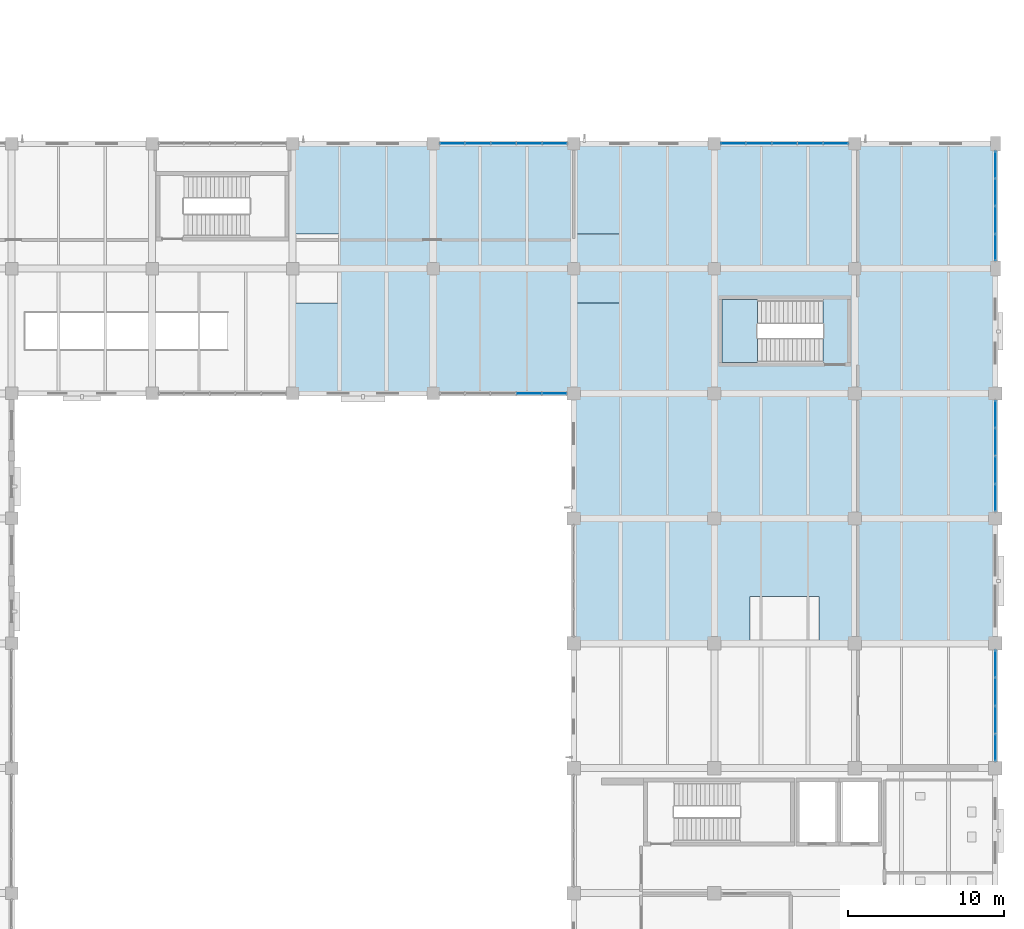
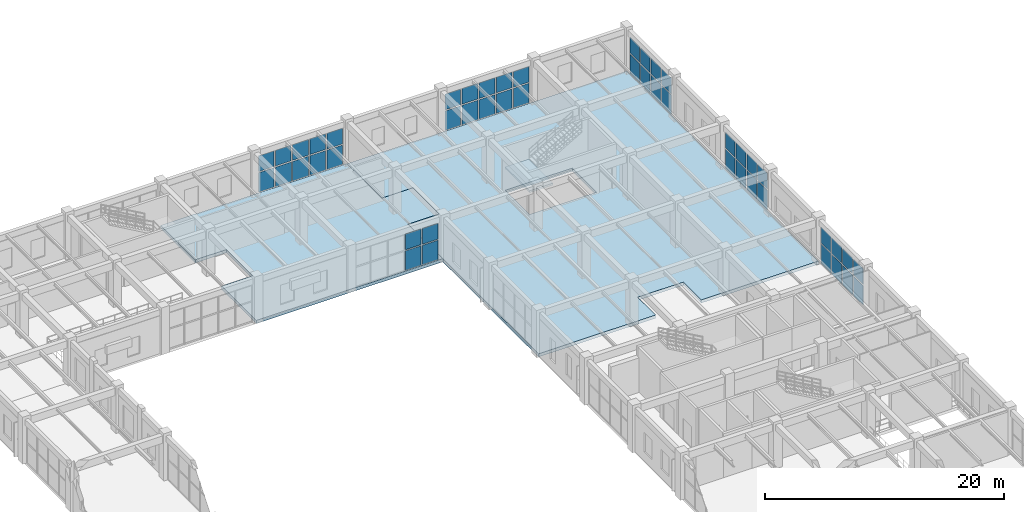
# One storey, part 150 of 178: 48 plates, 3 slabs, 7 elements without a shape of their own.
"""IFC4 building model written with IfcOpenShell, lengths in metres."""

from ifc_helpers import new_model, si_unit, derived_unit, direction, frame, origin, origin_2d, place, context, subcontext, project, spatial, polyline, rectangle, outline, extrude, material, layer, layer_set, type_object, element, aggregate, save


model = new_model("IFC4")

# Units and contexts
model_context = context("Model", 3, precision=1e-05, world=origin(), true_north=direction((0.0, 1.0)))
body_context = subcontext(model_context, "Body", "Model", "MODEL_VIEW")
ifc_project = project(units=[si_unit("LENGTHUNIT", "METRE"), si_unit("AREAUNIT", "SQUARE_METRE"), si_unit("VOLUMEUNIT", "CUBIC_METRE"), si_unit("PLANEANGLEUNIT", "RADIAN"), si_unit("MASSUNIT", "GRAM", prefix="KILO"), derived_unit("THERMALTRANSMITTANCEUNIT", [(si_unit("MASSUNIT", "GRAM", prefix="KILO"), 1), (si_unit("TIMEUNIT", "SECOND"), -3), (si_unit("THERMODYNAMICTEMPERATUREUNIT", "KELVIN"), -1)])], contexts=[model_context])

# Site, building, storey
site_placement = place(None, origin())
site = spatial("IfcSite", under=ifc_project, at=site_placement, CompositionType="ELEMENT")
building_placement = place(site_placement, origin())
building = spatial("IfcBuilding", under=site, at=building_placement, Name="Zhenchuan Archway Interchange", CompositionType="ELEMENT")
storey_placement = place(building_placement, frame((0.0, 0.0, 5.39990234375)))
storey = spatial("IfcBuildingStorey", under=building, at=storey_placement, Name="L01", CompositionType="ELEMENT", Elevation=5.39990234375)

# Curtain wall, plates
ifc_material_1 = material(Name="Anodised Aluminium", Category="aluminium")
curtain_wall_type_1 = type_object("IfcCurtainWallType", Name="CW_UNIT_3", PredefinedType="NOTDEFINED", material=ifc_material_1)
curtain_wall_1_placement = place(storey_placement, origin())
curtain_wall_1 = element("IfcCurtainWall", 1, at=curtain_wall_1_placement, inside=storey, type_object=curtain_wall_type_1, Name="Unitised curtain wall CW:L01:062", PredefinedType="NOTDEFINED")
ifc_material_2 = material(Name="Double Low-E Insulated Glazing", Category="glass")
ifc_layer_1 = layer(ifc_material_2, 0.028076171875)
ifc_layer_set_1 = layer_set([ifc_layer_1], Name="Double Low-E Insulated Glazing")
plate_type_1 = type_object("IfcPlateType", Name="CW_GLZ_1", PredefinedType="CURTAIN_PANEL", material=ifc_layer_set_1)
plate_1_placement = place(storey_placement, frame((136.204345703125, 104.0, 0.080078125), z_axis=(0.0, 0.0, 1.0), x_axis=(1.0, 0.0, 0.0)))
plate_1 = element("IfcPlate", 2, at=plate_1_placement, type_object=plate_type_1, Name="CW:L01:062 lower glazing panel 0", PredefinedType="CURTAIN_PANEL", context=body_context, shape_type="SweptSolid", body=[
    extrude(rectangle(XDim=1.492919921875, YDim=0.028076171875, at=origin_2d()), origin(), (0.0, 0.0, 1.0), 1.98291015625),
])
plate_2_placement = place(storey_placement, frame((137.84716796875, 104.0, 0.080078125), z_axis=(0.0, 0.0, 1.0), x_axis=(1.0, 0.0, 0.0)))
plate_2 = element("IfcPlate", 3, at=plate_2_placement, type_object=plate_type_1, Name="CW:L01:062 lower glazing panel 1", PredefinedType="CURTAIN_PANEL", context=body_context, shape_type="SweptSolid", body=[
    extrude(rectangle(XDim=1.5126953125, YDim=0.028076171875, at=origin_2d()), origin(), (0.0, 0.0, 1.0), 1.98291015625),
])
plate_3_placement = place(storey_placement, frame((139.5, 104.0, 0.080078125), z_axis=(0.0, 0.0, 1.0), x_axis=(1.0, 0.0, 0.0)))
plate_3 = element("IfcPlate", 4, at=plate_3_placement, type_object=plate_type_1, Name="CW:L01:062 lower glazing panel 2", PredefinedType="CURTAIN_PANEL", context=body_context, shape_type="SweptSolid", body=[
    extrude(rectangle(XDim=1.5126953125, YDim=0.028076171875, at=origin_2d()), origin(), (0.0, 0.0, 1.0), 1.98291015625),
])
plate_4_placement = place(storey_placement, frame((141.15283203125, 104.0, 0.080078125), z_axis=(0.0, 0.0, 1.0), x_axis=(1.0, 0.0, 0.0)))
plate_4 = element("IfcPlate", 5, at=plate_4_placement, type_object=plate_type_1, Name="CW:L01:062 lower glazing panel 3", PredefinedType="CURTAIN_PANEL", context=body_context, shape_type="SweptSolid", body=[
    extrude(rectangle(XDim=1.5126953125, YDim=0.028076171875, at=origin_2d()), origin(), (0.0, 0.0, 1.0), 1.98291015625),
])
plate_5_placement = place(storey_placement, frame((142.795654296875, 104.0, 0.080078125), z_axis=(0.0, 0.0, 1.0), x_axis=(1.0, 0.0, 0.0)))
plate_5 = element("IfcPlate", 6, at=plate_5_placement, type_object=plate_type_1, Name="CW:L01:062 lower glazing panel 4", PredefinedType="CURTAIN_PANEL", context=body_context, shape_type="SweptSolid", body=[
    extrude(rectangle(XDim=1.492919921875, YDim=0.028076171875, at=origin_2d()), origin(), (0.0, 0.0, 1.0), 1.98291015625),
])

curtain_wall_type_2 = type_object("IfcCurtainWallType", Name="CW_UNIT_4", PredefinedType="NOTDEFINED", material=ifc_material_1)
curtain_wall_2_placement = place(storey_placement, origin())
curtain_wall_2 = element("IfcCurtainWall", 7, at=curtain_wall_2_placement, inside=storey, type_object=curtain_wall_type_2, Name="Unitised curtain wall CW:L01:063", PredefinedType="NOTDEFINED")
plate_6_placement = place(storey_placement, frame((154.204345703125, 104.0, 0.080078125), z_axis=(0.0, 0.0, 1.0), x_axis=(1.0, 0.0, 0.0)))
plate_6 = element("IfcPlate", 8, at=plate_6_placement, type_object=plate_type_1, Name="CW:L01:063 lower glazing panel 0", PredefinedType="CURTAIN_PANEL", context=body_context, shape_type="SweptSolid", body=[
    extrude(rectangle(XDim=1.492919921875, YDim=0.028076171875, at=origin_2d()), origin(), (0.0, 0.0, 1.0), 1.98291015625),
])
plate_7_placement = place(storey_placement, frame((155.84716796875, 104.0, 0.080078125), z_axis=(0.0, 0.0, 1.0), x_axis=(1.0, 0.0, 0.0)))
plate_7 = element("IfcPlate", 9, at=plate_7_placement, type_object=plate_type_1, Name="CW:L01:063 lower glazing panel 1", PredefinedType="CURTAIN_PANEL", context=body_context, shape_type="SweptSolid", body=[
    extrude(rectangle(XDim=1.5126953125, YDim=0.028076171875, at=origin_2d()), origin(), (0.0, 0.0, 1.0), 1.98291015625),
])
plate_8_placement = place(storey_placement, frame((157.5, 104.0, 0.080078125), z_axis=(0.0, 0.0, 1.0), x_axis=(1.0, 0.0, 0.0)))
plate_8 = element("IfcPlate", 10, at=plate_8_placement, type_object=plate_type_1, Name="CW:L01:063 lower glazing panel 2", PredefinedType="CURTAIN_PANEL", context=body_context, shape_type="SweptSolid", body=[
    extrude(rectangle(XDim=1.5126953125, YDim=0.028076171875, at=origin_2d()), origin(), (0.0, 0.0, 1.0), 1.98291015625),
])
plate_9_placement = place(storey_placement, frame((159.15283203125, 104.0, 0.080078125), z_axis=(0.0, 0.0, 1.0), x_axis=(1.0, 0.0, 0.0)))
plate_9 = element("IfcPlate", 11, at=plate_9_placement, type_object=plate_type_1, Name="CW:L01:063 lower glazing panel 3", PredefinedType="CURTAIN_PANEL", context=body_context, shape_type="SweptSolid", body=[
    extrude(rectangle(XDim=1.5126953125, YDim=0.028076171875, at=origin_2d()), origin(), (0.0, 0.0, 1.0), 1.98291015625),
])
plate_10_placement = place(storey_placement, frame((160.795654296875, 104.0, 0.080078125), z_axis=(0.0, 0.0, 1.0), x_axis=(1.0, 0.0, 0.0)))
plate_10 = element("IfcPlate", 12, at=plate_10_placement, type_object=plate_type_1, Name="CW:L01:063 lower glazing panel 4", PredefinedType="CURTAIN_PANEL", context=body_context, shape_type="SweptSolid", body=[
    extrude(rectangle(XDim=1.492919921875, YDim=0.028076171875, at=origin_2d()), origin(), (0.0, 0.0, 1.0), 1.98291015625),
])

curtain_wall_type_3 = type_object("IfcCurtainWallType", Name="CW_UNIT_1", PredefinedType="NOTDEFINED", material=ifc_material_1)
curtain_wall_3_placement = place(storey_placement, origin())
curtain_wall_3 = element("IfcCurtainWall", 13, at=curtain_wall_3_placement, inside=storey, type_object=curtain_wall_type_3, Name="Unitised curtain wall CW:L01:096", PredefinedType="NOTDEFINED")
plate_11_placement = place(storey_placement, frame((142.773193359375, 88.0, 0.080078125), z_axis=(0.0, 0.0, 1.0), x_axis=(-1.0, 0.0, 0.0)))
plate_11 = element("IfcPlate", 14, at=plate_11_placement, type_object=plate_type_1, Name="CW:L01:096 lower glazing panel 0", PredefinedType="CURTAIN_PANEL", context=body_context, shape_type="SweptSolid", body=[
    extrude(rectangle(XDim=1.48779296875, YDim=0.028076171875, at=origin_2d()), origin(), (0.0, 0.0, 1.0), 1.98291015625),
])
plate_12_placement = place(storey_placement, frame((141.13525390625, 88.0, 0.080078125), z_axis=(0.0, 0.0, 1.0), x_axis=(-1.0, 0.0, 0.0)))
plate_12 = element("IfcPlate", 15, at=plate_12_placement, type_object=plate_type_1, Name="CW:L01:096 lower glazing panel 1", PredefinedType="CURTAIN_PANEL", context=body_context, shape_type="SweptSolid", body=[
    extrude(rectangle(XDim=1.5078125, YDim=0.028076171875, at=origin_2d()), origin(), (0.0, 0.0, 1.0), 1.98291015625),
])

# Plate
ifc_layer_2 = layer(ifc_material_2, 0.02587890625)
ifc_layer_set_2 = layer_set([ifc_layer_2], Name="Double Low-E Insulated Glazing")
plate_type_2 = type_object("IfcPlateType", Name="CW_GLZ_2", PredefinedType="CURTAIN_PANEL", material=ifc_layer_set_2)
plate_13_placement = place(storey_placement, frame((136.204345703125, 104.0, 2.18310546875), z_axis=(0.0, 0.0, 1.0), x_axis=(1.0, 0.0, 0.0)))
plate_13 = element("IfcPlate", 16, at=plate_13_placement, type_object=plate_type_2, Name="CW:L01:062 upper glazing panel 0", PredefinedType="CURTAIN_PANEL", context=body_context, shape_type="SweptSolid", body=[
    extrude(rectangle(XDim=1.492919921875, YDim=0.02587890625, at=origin_2d()), origin(), (0.0, 0.0, 1.0), 1.596923828125),
])

plate_14_placement = place(storey_placement, frame((137.84716796875, 104.0, 2.18310546875), z_axis=(0.0, 0.0, 1.0), x_axis=(1.0, 0.0, 0.0)))
plate_14 = element("IfcPlate", 17, at=plate_14_placement, type_object=plate_type_2, Name="CW:L01:062 upper glazing panel 1", PredefinedType="CURTAIN_PANEL", context=body_context, shape_type="SweptSolid", body=[
    extrude(rectangle(XDim=1.5126953125, YDim=0.02587890625, at=origin_2d()), origin(), (0.0, 0.0, 1.0), 1.596923828125),
])

plate_15_placement = place(storey_placement, frame((139.5, 104.0, 2.18310546875), z_axis=(0.0, 0.0, 1.0), x_axis=(1.0, 0.0, 0.0)))
plate_15 = element("IfcPlate", 18, at=plate_15_placement, type_object=plate_type_2, Name="CW:L01:062 upper glazing panel 2", PredefinedType="CURTAIN_PANEL", context=body_context, shape_type="SweptSolid", body=[
    extrude(rectangle(XDim=1.5126953125, YDim=0.02587890625, at=origin_2d()), origin(), (0.0, 0.0, 1.0), 1.596923828125),
])

plate_16_placement = place(storey_placement, frame((141.15283203125, 104.0, 2.18310546875), z_axis=(0.0, 0.0, 1.0), x_axis=(1.0, 0.0, 0.0)))
plate_16 = element("IfcPlate", 19, at=plate_16_placement, type_object=plate_type_2, Name="CW:L01:062 upper glazing panel 3", PredefinedType="CURTAIN_PANEL", context=body_context, shape_type="SweptSolid", body=[
    extrude(rectangle(XDim=1.5126953125, YDim=0.02587890625, at=origin_2d()), origin(), (0.0, 0.0, 1.0), 1.596923828125),
])

plate_17_placement = place(storey_placement, frame((142.795654296875, 104.0, 2.18310546875), z_axis=(0.0, 0.0, 1.0), x_axis=(1.0, 0.0, 0.0)))
plate_17 = element("IfcPlate", 20, at=plate_17_placement, type_object=plate_type_2, Name="CW:L01:062 upper glazing panel 4", PredefinedType="CURTAIN_PANEL", context=body_context, shape_type="SweptSolid", body=[
    extrude(rectangle(XDim=1.492919921875, YDim=0.02587890625, at=origin_2d()), origin(), (0.0, 0.0, 1.0), 1.596923828125),
])

aggregate(curtain_wall_1, [plate_1, plate_13, plate_2, plate_14, plate_3, plate_15, plate_4, plate_16, plate_5, plate_17])

plate_18_placement = place(storey_placement, frame((154.204345703125, 104.0, 2.18310546875), z_axis=(0.0, 0.0, 1.0), x_axis=(1.0, 0.0, 0.0)))
plate_18 = element("IfcPlate", 21, at=plate_18_placement, type_object=plate_type_2, Name="CW:L01:063 upper glazing panel 0", PredefinedType="CURTAIN_PANEL", context=body_context, shape_type="SweptSolid", body=[
    extrude(rectangle(XDim=1.492919921875, YDim=0.02587890625, at=origin_2d()), origin(), (0.0, 0.0, 1.0), 1.596923828125),
])

plate_19_placement = place(storey_placement, frame((155.84716796875, 104.0, 2.18310546875), z_axis=(0.0, 0.0, 1.0), x_axis=(1.0, 0.0, 0.0)))
plate_19 = element("IfcPlate", 22, at=plate_19_placement, type_object=plate_type_2, Name="CW:L01:063 upper glazing panel 1", PredefinedType="CURTAIN_PANEL", context=body_context, shape_type="SweptSolid", body=[
    extrude(rectangle(XDim=1.5126953125, YDim=0.02587890625, at=origin_2d()), origin(), (0.0, 0.0, 1.0), 1.596923828125),
])

plate_20_placement = place(storey_placement, frame((157.5, 104.0, 2.18310546875), z_axis=(0.0, 0.0, 1.0), x_axis=(1.0, 0.0, 0.0)))
plate_20 = element("IfcPlate", 23, at=plate_20_placement, type_object=plate_type_2, Name="CW:L01:063 upper glazing panel 2", PredefinedType="CURTAIN_PANEL", context=body_context, shape_type="SweptSolid", body=[
    extrude(rectangle(XDim=1.5126953125, YDim=0.02587890625, at=origin_2d()), origin(), (0.0, 0.0, 1.0), 1.596923828125),
])

plate_21_placement = place(storey_placement, frame((159.15283203125, 104.0, 2.18310546875), z_axis=(0.0, 0.0, 1.0), x_axis=(1.0, 0.0, 0.0)))
plate_21 = element("IfcPlate", 24, at=plate_21_placement, type_object=plate_type_2, Name="CW:L01:063 upper glazing panel 3", PredefinedType="CURTAIN_PANEL", context=body_context, shape_type="SweptSolid", body=[
    extrude(rectangle(XDim=1.5126953125, YDim=0.02587890625, at=origin_2d()), origin(), (0.0, 0.0, 1.0), 1.596923828125),
])

plate_22_placement = place(storey_placement, frame((160.795654296875, 104.0, 2.18310546875), z_axis=(0.0, 0.0, 1.0), x_axis=(1.0, 0.0, 0.0)))
plate_22 = element("IfcPlate", 25, at=plate_22_placement, type_object=plate_type_2, Name="CW:L01:063 upper glazing panel 4", PredefinedType="CURTAIN_PANEL", context=body_context, shape_type="SweptSolid", body=[
    extrude(rectangle(XDim=1.492919921875, YDim=0.02587890625, at=origin_2d()), origin(), (0.0, 0.0, 1.0), 1.596923828125),
])

aggregate(curtain_wall_2, [plate_6, plate_18, plate_7, plate_19, plate_8, plate_20, plate_9, plate_21, plate_10, plate_22])

plate_23_placement = place(storey_placement, frame((142.773193359375, 88.0, 2.18310546875), z_axis=(0.0, 0.0, 1.0), x_axis=(-1.0, 0.0, 0.0)))
plate_23 = element("IfcPlate", 26, at=plate_23_placement, type_object=plate_type_2, Name="CW:L01:096 upper glazing panel 0", PredefinedType="CURTAIN_PANEL", context=body_context, shape_type="SweptSolid", body=[
    extrude(rectangle(XDim=1.48779296875, YDim=0.02587890625, at=origin_2d()), origin(), (0.0, 0.0, 1.0), 1.596923828125),
])

plate_24_placement = place(storey_placement, frame((141.13525390625, 88.0, 2.18310546875), z_axis=(0.0, 0.0, 1.0), x_axis=(-1.0, 0.0, 0.0)))
plate_24 = element("IfcPlate", 27, at=plate_24_placement, type_object=plate_type_2, Name="CW:L01:096 upper glazing panel 1", PredefinedType="CURTAIN_PANEL", context=body_context, shape_type="SweptSolid", body=[
    extrude(rectangle(XDim=1.5078125, YDim=0.02587890625, at=origin_2d()), origin(), (0.0, 0.0, 1.0), 1.596923828125),
])

aggregate(curtain_wall_3, [plate_11, plate_23, plate_12, plate_24])

# Curtain wall, plates
curtain_wall_4_placement = place(storey_placement, origin())
curtain_wall_4 = element("IfcCurtainWall", 28, at=curtain_wall_4_placement, inside=storey, type_object=curtain_wall_type_3, Name="Unitised curtain wall CW:L01:064", PredefinedType="NOTDEFINED")
ifc_layer_3 = layer(ifc_material_2, 0.030029296875)
ifc_layer_set_3 = layer_set([ifc_layer_3], Name="Double Low-E Insulated Glazing")
plate_type_3 = type_object("IfcPlateType", Name="CW_GLZ_3", PredefinedType="CURTAIN_PANEL", material=ifc_layer_set_3)
plate_25_placement = place(storey_placement, frame((171.0, 102.65771484375, 0.080078125), z_axis=(0.0, 0.0, 1.0), x_axis=(0.0, -1.0, 0.0)))
plate_25 = element("IfcPlate", 29, at=plate_25_placement, type_object=plate_type_3, Name="CW:L01:064 lower glazing panel 0", PredefinedType="CURTAIN_PANEL", context=body_context, shape_type="SweptSolid", body=[
    extrude(rectangle(XDim=1.618408203125, YDim=0.028076171875, at=origin_2d()), origin(), (0.0, 0.0, 1.0), 1.98291015625),
])
plate_26_placement = place(storey_placement, frame((171.0, 100.889404296875, 0.080078125), z_axis=(0.0, 0.0, 1.0), x_axis=(0.0, -1.0, 0.0)))
plate_26 = element("IfcPlate", 30, at=plate_26_placement, type_object=plate_type_3, Name="CW:L01:064 lower glazing panel 1", PredefinedType="CURTAIN_PANEL", context=body_context, shape_type="SweptSolid", body=[
    extrude(rectangle(XDim=1.638427734375, YDim=0.028076171875, at=origin_2d()), origin(), (0.0, 0.0, 1.0), 1.98291015625),
])
plate_27_placement = place(storey_placement, frame((171.0, 99.110595703125, 0.080078125), z_axis=(0.0, 0.0, 1.0), x_axis=(0.0, -1.0, 0.0)))
plate_27 = element("IfcPlate", 31, at=plate_27_placement, type_object=plate_type_3, Name="CW:L01:064 lower glazing panel 2", PredefinedType="CURTAIN_PANEL", context=body_context, shape_type="SweptSolid", body=[
    extrude(rectangle(XDim=1.638427734375, YDim=0.028076171875, at=origin_2d()), origin(), (0.0, 0.0, 1.0), 1.98291015625),
])
plate_28_placement = place(storey_placement, frame((171.0, 97.34228515625, 0.080078125), z_axis=(0.0, 0.0, 1.0), x_axis=(0.0, -1.0, 0.0)))
plate_28 = element("IfcPlate", 32, at=plate_28_placement, type_object=plate_type_3, Name="CW:L01:064 lower glazing panel 3", PredefinedType="CURTAIN_PANEL", context=body_context, shape_type="SweptSolid", body=[
    extrude(rectangle(XDim=1.618408203125, YDim=0.028076171875, at=origin_2d()), origin(), (0.0, 0.0, 1.0), 1.98291015625),
])

curtain_wall_type_4 = type_object("IfcCurtainWallType", Name="CW_UNIT_2", PredefinedType="NOTDEFINED", material=ifc_material_1)
curtain_wall_5_placement = place(storey_placement, origin())
curtain_wall_5 = element("IfcCurtainWall", 33, at=curtain_wall_5_placement, inside=storey, type_object=curtain_wall_type_4, Name="Unitised curtain wall CW:L01:065", PredefinedType="NOTDEFINED")
plate_29_placement = place(storey_placement, frame((171.0, 86.6953125, 0.080078125), z_axis=(0.0, 0.0, 1.0), x_axis=(0.0, -1.0, 0.0)))
plate_29 = element("IfcPlate", 34, at=plate_29_placement, type_object=plate_type_3, Name="CW:L01:065 lower glazing panel 0", PredefinedType="CURTAIN_PANEL", context=body_context, shape_type="SweptSolid", body=[
    extrude(rectangle(XDim=1.6435546875, YDim=0.028076171875, at=origin_2d()), origin(), (0.0, 0.0, 1.0), 1.98291015625),
])
plate_30_placement = place(storey_placement, frame((171.0, 84.901611328125, 0.080078125), z_axis=(0.0, 0.0, 1.0), x_axis=(0.0, -1.0, 0.0)))
plate_30 = element("IfcPlate", 35, at=plate_30_placement, type_object=plate_type_3, Name="CW:L01:065 lower glazing panel 1", PredefinedType="CURTAIN_PANEL", context=body_context, shape_type="SweptSolid", body=[
    extrude(rectangle(XDim=1.66357421875, YDim=0.028076171875, at=origin_2d()), origin(), (0.0, 0.0, 1.0), 1.98291015625),
])
plate_31_placement = place(storey_placement, frame((171.0, 83.098388671875, 0.080078125), z_axis=(0.0, 0.0, 1.0), x_axis=(0.0, -1.0, 0.0)))
plate_31 = element("IfcPlate", 36, at=plate_31_placement, type_object=plate_type_3, Name="CW:L01:065 lower glazing panel 2", PredefinedType="CURTAIN_PANEL", context=body_context, shape_type="SweptSolid", body=[
    extrude(rectangle(XDim=1.66357421875, YDim=0.028076171875, at=origin_2d()), origin(), (0.0, 0.0, 1.0), 1.98291015625),
])
plate_32_placement = place(storey_placement, frame((171.0, 81.3046875, 0.080078125), z_axis=(0.0, 0.0, 1.0), x_axis=(0.0, -1.0, 0.0)))
plate_32 = element("IfcPlate", 37, at=plate_32_placement, type_object=plate_type_3, Name="CW:L01:065 lower glazing panel 3", PredefinedType="CURTAIN_PANEL", context=body_context, shape_type="SweptSolid", body=[
    extrude(rectangle(XDim=1.6435546875, YDim=0.028076171875, at=origin_2d()), origin(), (0.0, 0.0, 1.0), 1.98291015625),
])

curtain_wall_6_placement = place(storey_placement, origin())
curtain_wall_6 = element("IfcCurtainWall", 38, at=curtain_wall_6_placement, inside=storey, type_object=curtain_wall_type_1, Name="Unitised curtain wall CW:L01:066", PredefinedType="NOTDEFINED")
plate_33_placement = place(storey_placement, frame((171.0, 70.6953125, 0.080078125), z_axis=(0.0, 0.0, 1.0), x_axis=(0.0, -1.0, 0.0)))
plate_33 = element("IfcPlate", 39, at=plate_33_placement, type_object=plate_type_3, Name="CW:L01:066 lower glazing panel 0", PredefinedType="CURTAIN_PANEL", context=body_context, shape_type="SweptSolid", body=[
    extrude(rectangle(XDim=1.6435546875, YDim=0.028076171875, at=origin_2d()), origin(), (0.0, 0.0, 1.0), 1.98291015625),
])
plate_34_placement = place(storey_placement, frame((171.0, 68.901611328125, 0.080078125), z_axis=(0.0, 0.0, 1.0), x_axis=(0.0, -1.0, 0.0)))
plate_34 = element("IfcPlate", 40, at=plate_34_placement, type_object=plate_type_3, Name="CW:L01:066 lower glazing panel 1", PredefinedType="CURTAIN_PANEL", context=body_context, shape_type="SweptSolid", body=[
    extrude(rectangle(XDim=1.66357421875, YDim=0.028076171875, at=origin_2d()), origin(), (0.0, 0.0, 1.0), 1.98291015625),
])
plate_35_placement = place(storey_placement, frame((171.0, 67.098388671875, 0.080078125), z_axis=(0.0, 0.0, 1.0), x_axis=(0.0, -1.0, 0.0)))
plate_35 = element("IfcPlate", 41, at=plate_35_placement, type_object=plate_type_3, Name="CW:L01:066 lower glazing panel 2", PredefinedType="CURTAIN_PANEL", context=body_context, shape_type="SweptSolid", body=[
    extrude(rectangle(XDim=1.66357421875, YDim=0.028076171875, at=origin_2d()), origin(), (0.0, 0.0, 1.0), 1.98291015625),
])
plate_36_placement = place(storey_placement, frame((171.0, 65.3046875, 0.080078125), z_axis=(0.0, 0.0, 1.0), x_axis=(0.0, -1.0, 0.0)))
plate_36 = element("IfcPlate", 42, at=plate_36_placement, type_object=plate_type_3, Name="CW:L01:066 lower glazing panel 3", PredefinedType="CURTAIN_PANEL", context=body_context, shape_type="SweptSolid", body=[
    extrude(rectangle(XDim=1.6435546875, YDim=0.028076171875, at=origin_2d()), origin(), (0.0, 0.0, 1.0), 1.98291015625),
])

# Plate
ifc_layer_4 = layer(ifc_material_2, 0.02392578125)
ifc_layer_set_4 = layer_set([ifc_layer_4], Name="Double Low-E Insulated Glazing")
plate_type_4 = type_object("IfcPlateType", Name="CW_GLZ_4", PredefinedType="CURTAIN_PANEL", material=ifc_layer_set_4)
plate_37_placement = place(storey_placement, frame((171.0, 102.65771484375, 2.18310546875), z_axis=(0.0, 0.0, 1.0), x_axis=(0.0, -1.0, 0.0)))
plate_37 = element("IfcPlate", 43, at=plate_37_placement, type_object=plate_type_4, Name="CW:L01:064 upper glazing panel 0", PredefinedType="CURTAIN_PANEL", context=body_context, shape_type="SweptSolid", body=[
    extrude(rectangle(XDim=1.618408203125, YDim=0.02587890625, at=origin_2d()), origin(), (0.0, 0.0, 1.0), 1.596923828125),
])

plate_38_placement = place(storey_placement, frame((171.0, 100.889404296875, 2.18310546875), z_axis=(0.0, 0.0, 1.0), x_axis=(0.0, -1.0, 0.0)))
plate_38 = element("IfcPlate", 44, at=plate_38_placement, type_object=plate_type_4, Name="CW:L01:064 upper glazing panel 1", PredefinedType="CURTAIN_PANEL", context=body_context, shape_type="SweptSolid", body=[
    extrude(rectangle(XDim=1.638427734375, YDim=0.02587890625, at=origin_2d()), origin(), (0.0, 0.0, 1.0), 1.596923828125),
])

plate_39_placement = place(storey_placement, frame((171.0, 99.110595703125, 2.18310546875), z_axis=(0.0, 0.0, 1.0), x_axis=(0.0, -1.0, 0.0)))
plate_39 = element("IfcPlate", 45, at=plate_39_placement, type_object=plate_type_4, Name="CW:L01:064 upper glazing panel 2", PredefinedType="CURTAIN_PANEL", context=body_context, shape_type="SweptSolid", body=[
    extrude(rectangle(XDim=1.638427734375, YDim=0.02587890625, at=origin_2d()), origin(), (0.0, 0.0, 1.0), 1.596923828125),
])

plate_40_placement = place(storey_placement, frame((171.0, 97.34228515625, 2.18310546875), z_axis=(0.0, 0.0, 1.0), x_axis=(0.0, -1.0, 0.0)))
plate_40 = element("IfcPlate", 46, at=plate_40_placement, type_object=plate_type_4, Name="CW:L01:064 upper glazing panel 3", PredefinedType="CURTAIN_PANEL", context=body_context, shape_type="SweptSolid", body=[
    extrude(rectangle(XDim=1.618408203125, YDim=0.02587890625, at=origin_2d()), origin(), (0.0, 0.0, 1.0), 1.596923828125),
])

aggregate(curtain_wall_4, [plate_25, plate_37, plate_26, plate_38, plate_27, plate_39, plate_28, plate_40])

plate_41_placement = place(storey_placement, frame((171.0, 86.6953125, 2.18310546875), z_axis=(0.0, 0.0, 1.0), x_axis=(0.0, -1.0, 0.0)))
plate_41 = element("IfcPlate", 47, at=plate_41_placement, type_object=plate_type_4, Name="CW:L01:065 upper glazing panel 0", PredefinedType="CURTAIN_PANEL", context=body_context, shape_type="SweptSolid", body=[
    extrude(rectangle(XDim=1.6435546875, YDim=0.02587890625, at=origin_2d()), origin(), (0.0, 0.0, 1.0), 1.596923828125),
])

plate_42_placement = place(storey_placement, frame((171.0, 84.901611328125, 2.18310546875), z_axis=(0.0, 0.0, 1.0), x_axis=(0.0, -1.0, 0.0)))
plate_42 = element("IfcPlate", 48, at=plate_42_placement, type_object=plate_type_4, Name="CW:L01:065 upper glazing panel 1", PredefinedType="CURTAIN_PANEL", context=body_context, shape_type="SweptSolid", body=[
    extrude(rectangle(XDim=1.66357421875, YDim=0.02587890625, at=origin_2d()), origin(), (0.0, 0.0, 1.0), 1.596923828125),
])

plate_43_placement = place(storey_placement, frame((171.0, 83.098388671875, 2.18310546875), z_axis=(0.0, 0.0, 1.0), x_axis=(0.0, -1.0, 0.0)))
plate_43 = element("IfcPlate", 49, at=plate_43_placement, type_object=plate_type_4, Name="CW:L01:065 upper glazing panel 2", PredefinedType="CURTAIN_PANEL", context=body_context, shape_type="SweptSolid", body=[
    extrude(rectangle(XDim=1.66357421875, YDim=0.02587890625, at=origin_2d()), origin(), (0.0, 0.0, 1.0), 1.596923828125),
])

plate_44_placement = place(storey_placement, frame((171.0, 81.3046875, 2.18310546875), z_axis=(0.0, 0.0, 1.0), x_axis=(0.0, -1.0, 0.0)))
plate_44 = element("IfcPlate", 50, at=plate_44_placement, type_object=plate_type_4, Name="CW:L01:065 upper glazing panel 3", PredefinedType="CURTAIN_PANEL", context=body_context, shape_type="SweptSolid", body=[
    extrude(rectangle(XDim=1.6435546875, YDim=0.02587890625, at=origin_2d()), origin(), (0.0, 0.0, 1.0), 1.596923828125),
])

aggregate(curtain_wall_5, [plate_29, plate_41, plate_30, plate_42, plate_31, plate_43, plate_32, plate_44])

plate_45_placement = place(storey_placement, frame((171.0, 70.6953125, 2.18310546875), z_axis=(0.0, 0.0, 1.0), x_axis=(0.0, -1.0, 0.0)))
plate_45 = element("IfcPlate", 51, at=plate_45_placement, type_object=plate_type_4, Name="CW:L01:066 upper glazing panel 0", PredefinedType="CURTAIN_PANEL", context=body_context, shape_type="SweptSolid", body=[
    extrude(rectangle(XDim=1.6435546875, YDim=0.02587890625, at=origin_2d()), origin(), (0.0, 0.0, 1.0), 1.596923828125),
])

plate_46_placement = place(storey_placement, frame((171.0, 68.901611328125, 2.18310546875), z_axis=(0.0, 0.0, 1.0), x_axis=(0.0, -1.0, 0.0)))
plate_46 = element("IfcPlate", 52, at=plate_46_placement, type_object=plate_type_4, Name="CW:L01:066 upper glazing panel 1", PredefinedType="CURTAIN_PANEL", context=body_context, shape_type="SweptSolid", body=[
    extrude(rectangle(XDim=1.66357421875, YDim=0.02587890625, at=origin_2d()), origin(), (0.0, 0.0, 1.0), 1.596923828125),
])

plate_47_placement = place(storey_placement, frame((171.0, 67.098388671875, 2.18310546875), z_axis=(0.0, 0.0, 1.0), x_axis=(0.0, -1.0, 0.0)))
plate_47 = element("IfcPlate", 53, at=plate_47_placement, type_object=plate_type_4, Name="CW:L01:066 upper glazing panel 2", PredefinedType="CURTAIN_PANEL", context=body_context, shape_type="SweptSolid", body=[
    extrude(rectangle(XDim=1.66357421875, YDim=0.02587890625, at=origin_2d()), origin(), (0.0, 0.0, 1.0), 1.596923828125),
])

plate_48_placement = place(storey_placement, frame((171.0, 65.3046875, 2.18310546875), z_axis=(0.0, 0.0, 1.0), x_axis=(0.0, -1.0, 0.0)))
plate_48 = element("IfcPlate", 54, at=plate_48_placement, type_object=plate_type_4, Name="CW:L01:066 upper glazing panel 3", PredefinedType="CURTAIN_PANEL", context=body_context, shape_type="SweptSolid", body=[
    extrude(rectangle(XDim=1.6435546875, YDim=0.02587890625, at=origin_2d()), origin(), (0.0, 0.0, 1.0), 1.596923828125),
])

aggregate(curtain_wall_6, [plate_33, plate_45, plate_34, plate_46, plate_35, plate_47, plate_36, plate_48])

# Slabs
ifc_material_3 = material(Name="Concrete C40", Category="concrete")
ifc_layer_5 = layer(ifc_material_3, 0.320068359375)
ifc_layer_set_5 = layer_set([ifc_layer_5], Name="Concrete C40")
slab_type_1 = type_object("IfcSlabType", Name="SLB_FLR_320", PredefinedType="FLOOR", material=ifc_layer_set_5)
slab_1_placement = place(storey_placement, frame((0.0, 0.0, -0.31982421875)))
element("IfcSlab", 55, at=slab_1_placement, inside=storey, type_object=slab_type_1, Name="Structural slab L01 OPS-N2", PredefinedType="FLOOR", context=body_context, shape_type="SweptSolid", body=[
    extrude(outline(polyline([(144.0, 104.0), (144.0, 98.197998046875), (146.998046875, 98.197998046875), (146.998046875, 93.802001953125), (144.0, 93.802001953125), (144.0, 88.0), (126.0, 88.0), (126.0, 93.800048828125), (129.0, 93.800048828125), (129.0, 98.199951171875), (126.0, 98.199951171875), (126.0, 104.0), (144.0, 104.0)])), origin(), (0.0, 0.0, 1.0), 0.31982421875),
])
slab_2_placement = place(storey_placement, frame((0.0, 0.0, -0.31982421875)))
element("IfcSlab", 56, at=slab_2_placement, inside=storey, type_object=slab_type_1, Name="Structural slab L01 OPS-EN", PredefinedType="FLOOR", context=body_context, shape_type="SweptSolid", body=[
    extrude(outline(polyline([(171.0, 72.0), (159.699951171875, 72.0), (159.699951171875, 75.0), (155.300048828125, 75.0), (155.300048828125, 72.0), (144.0, 72.0), (144.0, 93.800048828125), (147.0, 93.800048828125), (147.0, 98.199951171875), (144.0, 98.199951171875), (144.0, 104.0), (171.0, 104.0), (171.0, 72.0)]), holes=[polyline([(159.97509765625, 89.97509765625), (159.97509765625, 94.02490234375), (153.5048828125, 94.02490234375), (153.5048828125, 89.97509765625), (159.97509765625, 89.97509765625)])]), origin(), (0.0, 0.0, 1.0), 0.31982421875),
])

# Stair, slab
ifc_material_4 = material(Name="Concrete C35", Category="concrete")
stair_type = type_object("IfcStairType", Name="STR_HALF_1550", PredefinedType="HALF_TURN_STAIR", material=ifc_material_4)
stair_placement = place(storey_placement, origin())
stair = element("IfcStair", 57, at=stair_placement, inside=storey, type_object=stair_type, Name="Stair ST-O3 (L01)", PredefinedType="HALF_TURN_STAIR")
ifc_layer_6 = layer(ifc_material_4, 0.199951171875)
ifc_layer_set_6 = layer_set([ifc_layer_6], Name="Concrete C35")
slab_type_2 = type_object("IfcSlabType", Name="SLB_LANDING_200", PredefinedType="LANDING", material=ifc_layer_set_6)
slab_3_placement = place(storey_placement, frame((0.0, 0.0, 2.2001953125)))
slab_3 = element("IfcSlab", 58, at=slab_3_placement, type_object=slab_type_2, Name="Stair ST-O3 half-landing (L01)", PredefinedType="LANDING", context=body_context, shape_type="SweptSolid", body=[
    extrude(outline(polyline([(153.5029296875, 89.972900390625), (155.7548828125, 89.972900390625), (155.7548828125, 94.027099609375), (153.5029296875, 94.027099609375), (153.5029296875, 89.972900390625)])), origin(), (0.0, 0.0, 1.0), 0.199951171875),
])
aggregate(stair, [slab_3])

save(model, "model.ifc")
